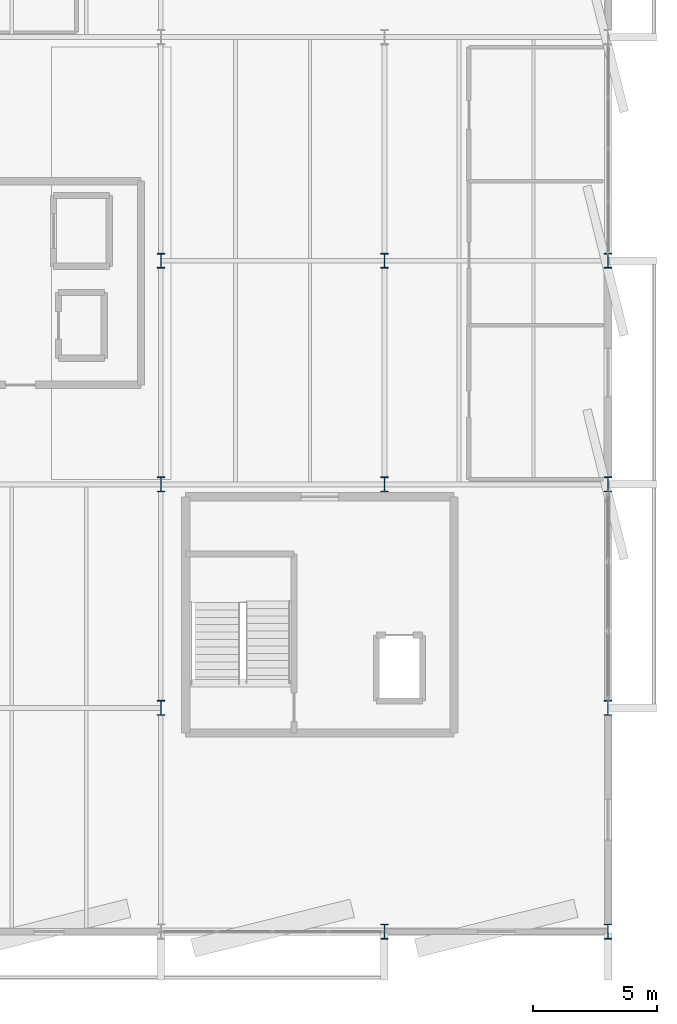
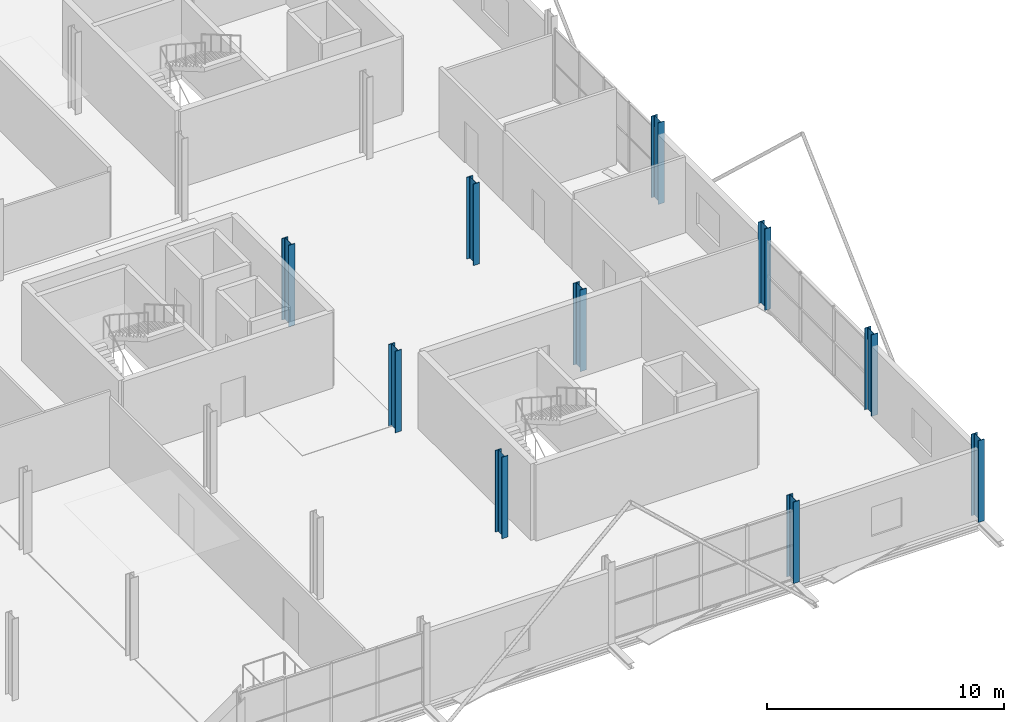
# One storey, part 11 of 103: 10 columns.
"""IFC4 building model written with IfcOpenShell, lengths in metres."""

from ifc_helpers import new_model, si_unit, direction, frame, origin, origin_2d, place, context, subcontext, project, spatial, i_section, extrude, material, material_profile, profile_set, type_object, element, save


model = new_model("IFC4")

# Units and contexts
model_context = context("Model", 3, precision=1e-05, world=origin(), true_north=direction((0.0, 1.0)))
body_context = subcontext(model_context, "Body", "Model", "MODEL_VIEW")
ifc_project = project(units=[si_unit("LENGTHUNIT", "METRE"), si_unit("AREAUNIT", "SQUARE_METRE"), si_unit("VOLUMEUNIT", "CUBIC_METRE"), si_unit("PLANEANGLEUNIT", "RADIAN"), si_unit("MASSUNIT", "GRAM", prefix="KILO")], contexts=[model_context])

# Site, building, storey
site_placement = place(None, origin())
site = spatial("IfcSite", under=ifc_project, at=site_placement, CompositionType="ELEMENT")
building_placement = place(site_placement, origin())
building = spatial("IfcBuilding", under=site, at=building_placement, Name="Deido Ridge Mobility Hub", CompositionType="ELEMENT")
storey_placement = place(building_placement, frame((0.0, 0.0, 12.60009765625)))
storey = spatial("IfcBuildingStorey", under=building, at=storey_placement, Name="L03", CompositionType="ELEMENT", Elevation=12.60009765625)

# Columns
ifc_material = material(Name="Steel S355J2 EN 10025-2", Category="steel")
ifc_material_profile = material_profile(ifc_material, i_section(OverallWidth=0.300048828125, OverallDepth=0.60009765625, WebThickness=0.015380859375, FlangeThickness=0.030029296875, FilletRadius=0.027099609375, at=origin_2d()), Name="HEB 600")
ifc_profile_set = profile_set([ifc_material_profile], Name="Steel S355J2 EN 10025-2")
column_type = type_object("IfcColumnType", Name="COL-HEB600", PredefinedType="COLUMN", material=ifc_profile_set)
for number, where, z_axis, x_axis, name in (
    (1, (171.0, 0.0, 0.0), (0.0, 0.0, 1.0), (1.0, 0.0, 0.0), "Structural column C4"),
    (2, (180.0, 0.0, 0.0), (0.0, 0.0, 1.0), (1.0, 0.0, 0.0), "Structural column C4"),
    (3, (162.0, 9.0, 0.0), (0.0, 0.0, 1.0), (1.0, 0.0, 0.0), "Structural column C4"),
    (4, (180.0, 9.0, 0.0), (0.0, 0.0, 1.0), (1.0, 0.0, 0.0), "Structural column C4"),
    (5, (162.0, 18.0, 0.0), (0.0, 0.0, 1.0), (1.0, 0.0, 0.0), "Structural column C4"),
    (6, (171.0, 18.0, 0.0), (0.0, 0.0, 1.0), (1.0, 0.0, 0.0), "Structural column C4"),
    (7, (180.0, 18.0, 0.0), (0.0, 0.0, 1.0), (1.0, 0.0, 0.0), "Structural column C4"),
    (8, (162.0, 27.0, 0.0), (0.0, 0.0, 1.0), (1.0, 0.0, 0.0), "Structural column C4"),
    (9, (171.0, 27.0, 0.0), (0.0, 0.0, 1.0), (1.0, 0.0, 0.0), "Structural column C4"),
    (10, (180.0, 27.0, 0.0), (0.0, 0.0, 1.0), (1.0, 0.0, 0.0), "Structural column C4"),
):
    element("IfcColumn", number, at=place(storey_placement, frame(where, z_axis=z_axis, x_axis=x_axis)), inside=storey, type_object=column_type, Name=name, PredefinedType="COLUMN", context=body_context, shape_type="SweptSolid", body=[
        extrude(i_section(OverallWidth=0.300048828125, OverallDepth=0.60009765625, WebThickness=0.015380859375, FlangeThickness=0.030029296875, FilletRadius=0.027099609375, at=origin_2d()), origin(), (0.0, 0.0, 1.0), 4.199951171875),
    ])

save(model, "model.ifc")
